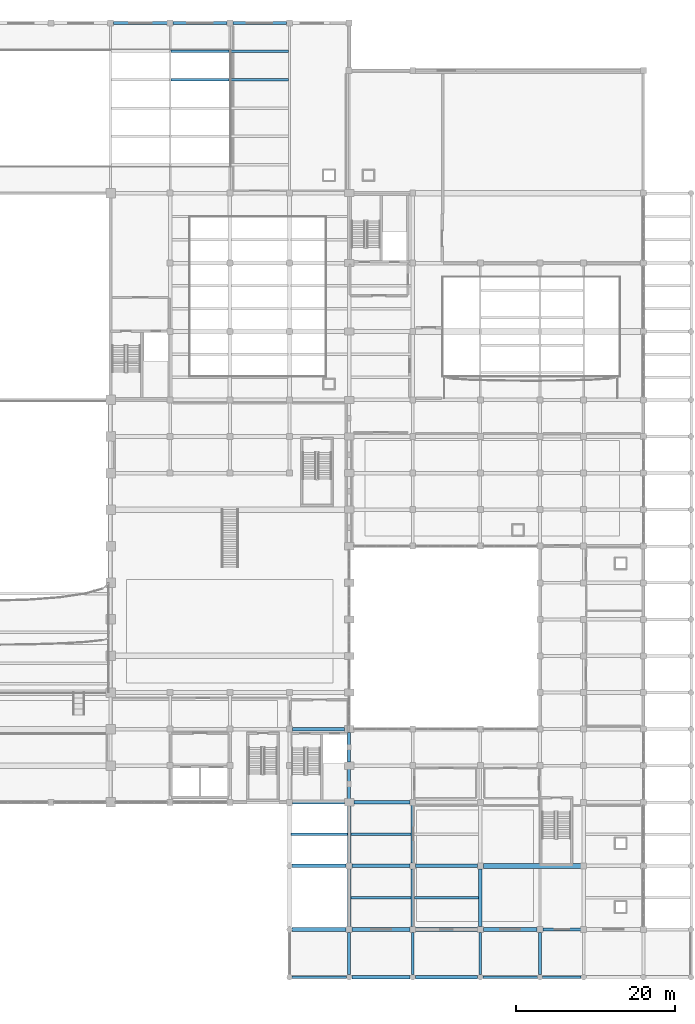
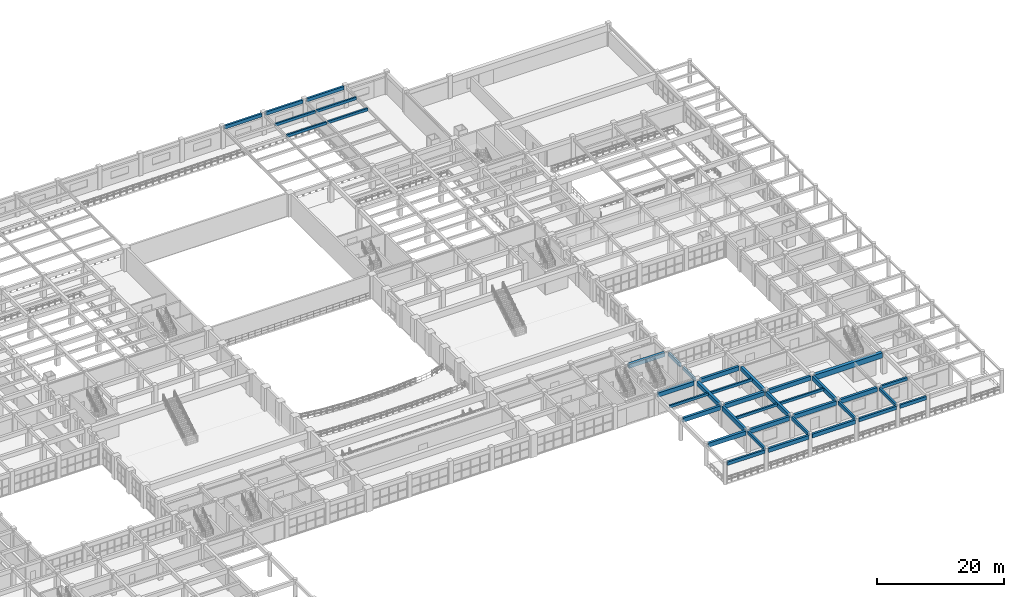
# One storey, part 49 of 116: 39 beams.
"""IFC4 building model written with IfcOpenShell, lengths in metres."""

from ifc_helpers import new_model, si_unit, direction, frame, origin, origin_2d, place, context, subcontext, project, spatial, rectangle, extrude, material, material_profile, profile_set, type_object, element, save


model = new_model("IFC4")

# Units and contexts
model_context = context("Model", 3, precision=1e-05, world=origin(), true_north=direction((0.0, 1.0)))
body_context = subcontext(model_context, "Body", "Model", "MODEL_VIEW")
ifc_project = project(units=[si_unit("LENGTHUNIT", "METRE"), si_unit("AREAUNIT", "SQUARE_METRE"), si_unit("VOLUMEUNIT", "CUBIC_METRE"), si_unit("PLANEANGLEUNIT", "RADIAN"), si_unit("MASSUNIT", "GRAM", prefix="KILO")], contexts=[model_context])

# Site, building, storey
site_placement = place(None, origin())
site = spatial("IfcSite", under=ifc_project, at=site_placement, CompositionType="ELEMENT")
building_placement = place(site_placement, origin())
building = spatial("IfcBuilding", under=site, at=building_placement, Name="Muzn Square Opera House", CompositionType="ELEMENT")
storey_placement = place(building_placement, frame((0.0, 0.0, 5.39990234375)))
storey = spatial("IfcBuildingStorey", under=building, at=storey_placement, Name="L01", CompositionType="ELEMENT", Elevation=5.39990234375)

# Beams
ifc_material = material(Name="Concrete C40/50", Category="concrete")
ifc_material_profile_1 = material_profile(ifc_material, rectangle(XDim=0.300048828125, YDim=0.5, at=origin_2d()), Name="RCJ 300x500", Category="concrete")
ifc_profile_set_1 = profile_set([ifc_material_profile_1], Name="Concrete C40/50")
beam_type_1 = type_object("IfcBeamType", Name="Floor Joist 300x500", PredefinedType="JOIST", material=ifc_profile_set_1)
for number, where, z_axis, x_axis, name in (
    (1, (110.60205078125, 112.86669921875, 3.8701171875), (1.0, 0.0, 0.0), (0.0, 1.0, 0.0), "Floor Joist BM-L01-BM-J500-1106_1129_1179_1129-1893"),
    (2, (110.60205078125, 116.433349609375, 3.8701171875), (1.0, 0.0, 0.0), (0.0, 1.0, 0.0), "Floor Joist BM-L01-BM-J500-1106_1164_1179_1164-1894"),
    (3, (118.10205078125, 112.86669921875, 3.8701171875), (1.0, 0.0, 0.0), (0.0, 1.0, 0.0), "Floor Joist BM-L01-BM-J500-1181_1129_1254_1129-1904"),
    (4, (118.10205078125, 116.433349609375, 3.8701171875), (1.0, 0.0, 0.0), (0.0, 1.0, 0.0), "Floor Joist BM-L01-BM-J500-1181_1164_1254_1164-1905"),
):
    element("IfcBeam", number, at=place(storey_placement, frame(where, z_axis=z_axis, x_axis=x_axis)), inside=storey, type_object=beam_type_1, Name=name, PredefinedType="JOIST", context=body_context, shape_type="SweptSolid", body=[
        extrude(rectangle(XDim=0.300048828125, YDim=0.5, at=origin_2d()), origin(), (0.0, 0.0, 1.0), 7.2958984375),
    ])
beam_1_placement = place(storey_placement, frame((125.717041015625, 18.0, 3.900146484375), z_axis=(1.0, 0.0, 0.0), x_axis=(0.0, 1.0, 0.0)))
element("IfcBeam", 5, at=beam_1_placement, inside=storey, type_object=beam_type_1, Name="Floor Joist BM-L01-BM-J500-1257_180_1328_180-1907", PredefinedType="JOIST", context=body_context, shape_type="SweptSolid", body=[
    extrude(rectangle(XDim=0.300048828125, YDim=0.5, at=origin_2d()), origin(), (0.0, 0.0, 1.0), 7.06591796875),
])
for number, where, z_axis, x_axis, name in (
    (6, (133.217041015625, 10.0, 3.900146484375), (1.0, 0.0, 0.0), (0.0, 1.0, 0.0), "Floor Joist BM-L01-BM-J500-1332_100_1408_100-1914"),
    (7, (133.217041015625, 18.0, 3.8701171875), (1.0, 0.0, 0.0), (0.0, 1.0, 0.0), "Floor Joist BM-L01-BM-J500-1332_180_1408_180-1915"),
):
    element("IfcBeam", number, at=place(storey_placement, frame(where, z_axis=z_axis, x_axis=x_axis)), inside=storey, type_object=beam_type_1, Name=name, PredefinedType="JOIST", context=body_context, shape_type="SweptSolid", body=[
        extrude(rectangle(XDim=0.300048828125, YDim=0.5, at=origin_2d()), origin(), (0.0, 0.0, 1.0), 7.56591796875),
    ])
beam_2_placement = place(storey_placement, frame((141.217041015625, 10.0, 3.900146484375), z_axis=(1.0, 0.0, 0.0), x_axis=(0.0, 1.0, 0.0)))
element("IfcBeam", 8, at=beam_2_placement, inside=storey, type_object=beam_type_1, Name="Floor Joist BM-L01-BM-J500-1412_100_1493_100-1920", PredefinedType="JOIST", context=body_context, shape_type="SweptSolid", body=[
    extrude(rectangle(XDim=0.300048828125, YDim=0.5, at=origin_2d()), origin(), (0.0, 0.0, 1.0), 8.06591796875),
])
ifc_material_profile_2 = material_profile(ifc_material, rectangle(XDim=0.35009765625, YDim=0.60009765625, at=origin_2d()), Name="RCB 350x600", Category="concrete")
ifc_profile_set_2 = profile_set([ifc_material_profile_2], Name="Concrete C40/50")
beam_type_2 = type_object("IfcBeamType", Name="Primary Girder 350x600", PredefinedType="BEAM", material=ifc_profile_set_2)
beam_3_placement = place(storey_placement, frame((157.366943359375, 6.0, 3.85009765625), z_axis=(1.0, 0.0, 0.0), x_axis=(0.0, 1.0, 0.0)))
element("IfcBeam", 9, at=beam_3_placement, inside=storey, type_object=beam_type_2, Name="Primary Girder BM-L01-BM-PG600-1574_60_1621_60-1260", PredefinedType="BEAM", context=body_context, shape_type="SweptSolid", body=[
    extrude(rectangle(XDim=0.35009765625, YDim=0.60009765625, at=origin_2d()), origin(), (0.0, 0.0, 1.0), 4.76611328125),
])
beam_4_placement = place(storey_placement, frame((133.0, 0.342041015625, 3.85009765625), z_axis=(0.0, 1.0, 0.0), x_axis=(-1.0, 0.0, 0.0)))
element("IfcBeam", 10, at=beam_4_placement, inside=storey, type_object=beam_type_2, Name="Primary Girder BM-L01-BM-PG600-1330_3_1330_56-1698", PredefinedType="BEAM", context=body_context, shape_type="SweptSolid", body=[
    extrude(rectangle(XDim=0.35009765625, YDim=0.60009765625, at=origin_2d()), origin(), (0.0, 0.0, 1.0), 5.291015625),
])
for number, where, z_axis, x_axis, name in (
    (11, (133.0, 22.44189453125, 3.820068359375), (0.0, 1.0, 0.0), (-1.0, 0.0, 0.0), "Primary Girder BM-L01-BM-PG600-1330_224_1330_262-1701"),
    (12, (133.0, 27.0419921875, 3.820068359375), (0.0, 1.0, 0.0), (-1.0, 0.0, 0.0), "Primary Girder BM-L01-BM-PG600-1330_270_1330_308-1702"),
):
    element("IfcBeam", number, at=place(storey_placement, frame(where, z_axis=z_axis, x_axis=x_axis)), inside=storey, type_object=beam_type_2, Name=name, PredefinedType="BEAM", context=body_context, shape_type="SweptSolid", body=[
        extrude(rectangle(XDim=0.35009765625, YDim=0.60009765625, at=origin_2d()), origin(), (0.0, 0.0, 1.0), 3.716064453125),
    ])
for number, where, z_axis, x_axis, name in (
    (13, (141.0, 0.342041015625, 3.85009765625), (0.0, 1.0, 0.0), (-1.0, 0.0, 0.0), "Primary Girder BM-L01-BM-PG600-1410_3_1410_56-1715"),
    (14, (149.5, 0.342041015625, 3.85009765625), (0.0, 1.0, 0.0), (-1.0, 0.0, 0.0), "Primary Girder BM-L01-BM-PG600-1495_3_1495_56-1727"),
    (15, (157.0, 0.342041015625, 3.85009765625), (0.0, 1.0, 0.0), (-1.0, 0.0, 0.0), "Primary Girder BM-L01-BM-PG600-1570_3_1570_56-1737"),
):
    element("IfcBeam", number, at=place(storey_placement, frame(where, z_axis=z_axis, x_axis=x_axis)), inside=storey, type_object=beam_type_2, Name=name, PredefinedType="BEAM", context=body_context, shape_type="SweptSolid", body=[
        extrude(rectangle(XDim=0.35009765625, YDim=0.60009765625, at=origin_2d()), origin(), (0.0, 0.0, 1.0), 5.291015625),
    ])
ifc_material_profile_3 = material_profile(ifc_material, rectangle(XDim=0.449951171875, YDim=0.800048828125, at=origin_2d()), Name="RCB 450x800", Category="concrete")
ifc_profile_set_3 = profile_set([ifc_material_profile_3], Name="Concrete C40/50")
beam_type_3 = type_object("IfcBeamType", Name="Primary Girder 450x800", PredefinedType="BEAM", material=ifc_profile_set_3)
beam_5_placement = place(storey_placement, frame((125.842041015625, 6.0, 3.75), z_axis=(1.0, 0.0, 0.0), x_axis=(0.0, 1.0, 0.0)))
element("IfcBeam", 16, at=beam_5_placement, inside=storey, type_object=beam_type_3, Name="Primary Girder BM-L01-BM-PG800-1258_60_1326_60-1256", PredefinedType="BEAM", context=body_context, shape_type="SweptSolid", body=[
    extrude(rectangle(XDim=0.449951171875, YDim=0.800048828125, at=origin_2d()), origin(), (0.0, 0.0, 1.0), 6.791015625),
])
beam_6_placement = place(storey_placement, frame((133.366943359375, 6.0, 3.75), z_axis=(1.0, 0.0, 0.0), x_axis=(0.0, 1.0, 0.0)))
element("IfcBeam", 17, at=beam_6_placement, inside=storey, type_object=beam_type_3, Name="Primary Girder BM-L01-BM-PG800-1334_60_1406_60-1257", PredefinedType="BEAM", context=body_context, shape_type="SweptSolid", body=[
    extrude(rectangle(XDim=0.449951171875, YDim=0.800048828125, at=origin_2d()), origin(), (0.0, 0.0, 1.0), 7.26611328125),
])
beam_7_placement = place(storey_placement, frame((141.366943359375, 6.0, 3.75), z_axis=(1.0, 0.0, 0.0), x_axis=(0.0, 1.0, 0.0)))
element("IfcBeam", 18, at=beam_7_placement, inside=storey, type_object=beam_type_3, Name="Primary Girder BM-L01-BM-PG800-1414_60_1491_60-1258", PredefinedType="BEAM", context=body_context, shape_type="SweptSolid", body=[
    extrude(rectangle(XDim=0.449951171875, YDim=0.800048828125, at=origin_2d()), origin(), (0.0, 0.0, 1.0), 7.76611328125),
])
beam_8_placement = place(storey_placement, frame((149.866943359375, 6.0, 3.75), z_axis=(1.0, 0.0, 0.0), x_axis=(0.0, 1.0, 0.0)))
element("IfcBeam", 19, at=beam_8_placement, inside=storey, type_object=beam_type_3, Name="Primary Girder BM-L01-BM-PG800-1499_60_1566_60-1259", PredefinedType="BEAM", context=body_context, shape_type="SweptSolid", body=[
    extrude(rectangle(XDim=0.449951171875, YDim=0.800048828125, at=origin_2d()), origin(), (0.0, 0.0, 1.0), 6.76611328125),
])
beam_9_placement = place(storey_placement, frame((125.842041015625, 14.0, 3.75), z_axis=(1.0, 0.0, 0.0), x_axis=(0.0, 1.0, 0.0)))
element("IfcBeam", 20, at=beam_9_placement, inside=storey, type_object=beam_type_3, Name="Primary Girder BM-L01-BM-PG800-1258_140_1326_140-1269", PredefinedType="BEAM", context=body_context, shape_type="SweptSolid", body=[
    extrude(rectangle(XDim=0.449951171875, YDim=0.800048828125, at=origin_2d()), origin(), (0.0, 0.0, 1.0), 6.791015625),
])
beam_10_placement = place(storey_placement, frame((133.366943359375, 14.0, 3.72021484375), z_axis=(1.0, 0.0, 0.0), x_axis=(0.0, 1.0, 0.0)))
element("IfcBeam", 21, at=beam_10_placement, inside=storey, type_object=beam_type_3, Name="Primary Girder BM-L01-BM-PG800-1334_140_1406_140-1270", PredefinedType="BEAM", context=body_context, shape_type="SweptSolid", body=[
    extrude(rectangle(XDim=0.449951171875, YDim=0.800048828125, at=origin_2d()), origin(), (0.0, 0.0, 1.0), 7.26611328125),
])
beam_11_placement = place(storey_placement, frame((141.366943359375, 14.0, 3.72021484375), z_axis=(1.0, 0.0, 0.0), x_axis=(0.0, 1.0, 0.0)))
element("IfcBeam", 22, at=beam_11_placement, inside=storey, type_object=beam_type_3, Name="Primary Girder BM-L01-BM-PG800-1414_140_1491_140-1271", PredefinedType="BEAM", context=body_context, shape_type="SweptSolid", body=[
    extrude(rectangle(XDim=0.449951171875, YDim=0.800048828125, at=origin_2d()), origin(), (0.0, 0.0, 1.0), 7.76611328125),
])
beam_12_placement = place(storey_placement, frame((125.866943359375, 22.0, 3.72021484375), z_axis=(1.0, 0.0, 0.0), x_axis=(0.0, 1.0, 0.0)))
element("IfcBeam", 23, at=beam_12_placement, inside=storey, type_object=beam_type_3, Name="Primary Girder BM-L01-BM-PG800-1259_220_1324_220-1290", PredefinedType="BEAM", context=body_context, shape_type="SweptSolid", body=[
    extrude(rectangle(XDim=0.449951171875, YDim=0.800048828125, at=origin_2d()), origin(), (0.0, 0.0, 1.0), 6.541015625),
])
beam_13_placement = place(storey_placement, frame((133.592041015625, 22.0, 3.72021484375), z_axis=(1.0, 0.0, 0.0), x_axis=(0.0, 1.0, 0.0)))
element("IfcBeam", 24, at=beam_13_placement, inside=storey, type_object=beam_type_3, Name="Primary Girder BM-L01-BM-PG800-1336_220_1406_220-1291", PredefinedType="BEAM", context=body_context, shape_type="SweptSolid", body=[
    extrude(rectangle(XDim=0.449951171875, YDim=0.800048828125, at=origin_2d()), origin(), (0.0, 0.0, 1.0), 7.041015625),
])
beam_14_placement = place(storey_placement, frame((125.866943359375, 31.199951171875, 3.72021484375), z_axis=(1.0, 0.0, 0.0), x_axis=(0.0, 1.0, 0.0)))
element("IfcBeam", 25, at=beam_14_placement, inside=storey, type_object=beam_type_3, Name="Primary Girder BM-L01-BM-PG800-1259_312_1324_312-1326", PredefinedType="BEAM", context=body_context, shape_type="SweptSolid", body=[
    extrude(rectangle(XDim=0.449951171875, YDim=0.800048828125, at=origin_2d()), origin(), (0.0, 0.0, 1.0), 6.541015625),
])
beam_15_placement = place(storey_placement, frame((133.0, 6.366943359375, 3.72021484375), z_axis=(0.0, 1.0, 0.0), x_axis=(-1.0, 0.0, 0.0)))
element("IfcBeam", 26, at=beam_15_placement, inside=storey, type_object=beam_type_3, Name="Primary Girder BM-L01-BM-PG800-1330_64_1330_136-1699", PredefinedType="BEAM", context=body_context, shape_type="SweptSolid", body=[
    extrude(rectangle(XDim=0.449951171875, YDim=0.800048828125, at=origin_2d()), origin(), (0.0, 0.0, 1.0), 7.26611328125),
])
beam_16_placement = place(storey_placement, frame((133.0, 14.366943359375, 3.72021484375), z_axis=(0.0, 1.0, 0.0), x_axis=(-1.0, 0.0, 0.0)))
element("IfcBeam", 27, at=beam_16_placement, inside=storey, type_object=beam_type_3, Name="Primary Girder BM-L01-BM-PG800-1330_144_1330_216-1700", PredefinedType="BEAM", context=body_context, shape_type="SweptSolid", body=[
    extrude(rectangle(XDim=0.449951171875, YDim=0.800048828125, at=origin_2d()), origin(), (0.0, 0.0, 1.0), 7.191162109375),
])
for number, where, z_axis, x_axis, name in (
    (28, (141.0, 6.366943359375, 3.75), (0.0, 1.0, 0.0), (-1.0, 0.0, 0.0), "Primary Girder BM-L01-BM-PG800-1410_64_1410_136-1716"),
    (29, (141.0, 14.366943359375, 3.72021484375), (0.0, 1.0, 0.0), (-1.0, 0.0, 0.0), "Primary Girder BM-L01-BM-PG800-1410_144_1410_216-1717"),
    (30, (149.5, 6.366943359375, 3.75), (0.0, 1.0, 0.0), (-1.0, 0.0, 0.0), "Primary Girder BM-L01-BM-PG800-1495_64_1495_136-1728"),
):
    element("IfcBeam", number, at=place(storey_placement, frame(where, z_axis=z_axis, x_axis=x_axis)), inside=storey, type_object=beam_type_3, Name=name, PredefinedType="BEAM", context=body_context, shape_type="SweptSolid", body=[
        extrude(rectangle(XDim=0.449951171875, YDim=0.800048828125, at=origin_2d()), origin(), (0.0, 0.0, 1.0), 7.26611328125),
    ])
ifc_material_profile_4 = material_profile(ifc_material, rectangle(XDim=0.60009765625, YDim=1.0, at=origin_2d()), Name="RCB 600x1000", Category="concrete")
ifc_profile_set_4 = profile_set([ifc_material_profile_4], Name="Concrete C40/50")
beam_type_4 = type_object("IfcBeamType", Name="Primary Girder 600x1000", PredefinedType="BEAM", material=ifc_profile_set_4)
beam_17_placement = place(storey_placement, frame((149.866943359375, 14.0, 3.6201171875), z_axis=(1.0, 0.0, 0.0), x_axis=(0.0, 1.0, 0.0)))
element("IfcBeam", 31, at=beam_17_placement, inside=storey, type_object=beam_type_4, Name="Primary Girder BM-L01-BM-PG1000-1499_140_1621_140-1272", PredefinedType="BEAM", context=body_context, shape_type="SweptSolid", body=[
    extrude(rectangle(XDim=0.60009765625, YDim=1.0, at=origin_2d()), origin(), (0.0, 0.0, 1.0), 12.26611328125),
])
ifc_material_profile_5 = material_profile(ifc_material, rectangle(XDim=0.35009765625, YDim=0.64990234375, at=origin_2d()), Name="RCS 350x650", Category="concrete")
ifc_profile_set_5 = profile_set([ifc_material_profile_5], Name="Concrete C40/50")
beam_type_5 = type_object("IfcBeamType", Name="Spandrel Beam 350x650", PredefinedType="SPANDREL", material=ifc_profile_set_5)
for number, where, z_axis, x_axis, name in (
    (32, (125.842041015625, 0.0, 3.795166015625), (1.0, 0.0, 0.0), (0.0, 1.0, 0.0), "Spandrel Beam BM-L01-BM-SP650-1258_0_1327_0-1242"),
    (33, (149.842041015625, 0.0, 3.795166015625), (1.0, 0.0, 0.0), (0.0, 1.0, 0.0), "Spandrel Beam BM-L01-BM-SP650-1498_0_1567_0-1245"),
):
    element("IfcBeam", number, at=place(storey_placement, frame(where, z_axis=z_axis, x_axis=x_axis)), inside=storey, type_object=beam_type_5, Name=name, PredefinedType="SPANDREL", context=body_context, shape_type="SweptSolid", body=[
        extrude(rectangle(XDim=0.35009765625, YDim=0.64990234375, at=origin_2d()), origin(), (0.0, 0.0, 1.0), 6.81591796875),
    ])
beam_18_placement = place(storey_placement, frame((157.342041015625, 0.0, 3.795166015625), z_axis=(1.0, 0.0, 0.0), x_axis=(0.0, 1.0, 0.0)))
element("IfcBeam", 34, at=beam_18_placement, inside=storey, type_object=beam_type_5, Name="Spandrel Beam BM-L01-BM-SP650-1573_0_1622_0-1246", PredefinedType="SPANDREL", context=body_context, shape_type="SweptSolid", body=[
    extrude(rectangle(XDim=0.35009765625, YDim=0.64990234375, at=origin_2d()), origin(), (0.0, 0.0, 1.0), 4.81591796875),
])
for number, where, z_axis, x_axis, name in (
    (35, (103.366943359375, 120.0, 3.795166015625), (1.0, 0.0, 0.0), (0.0, 1.0, 0.0), "Spandrel Beam BM-L01-BM-SP650-1034_1200_1101_1200-1504"),
    (36, (110.866943359375, 120.0, 3.795166015625), (1.0, 0.0, 0.0), (0.0, 1.0, 0.0), "Spandrel Beam BM-L01-BM-SP650-1109_1200_1176_1200-1505"),
    (37, (118.366943359375, 120.0, 3.795166015625), (1.0, 0.0, 0.0), (0.0, 1.0, 0.0), "Spandrel Beam BM-L01-BM-SP650-1184_1200_1251_1200-1506"),
):
    element("IfcBeam", number, at=place(storey_placement, frame(where, z_axis=z_axis, x_axis=x_axis)), inside=storey, type_object=beam_type_5, Name=name, PredefinedType="SPANDREL", context=body_context, shape_type="SweptSolid", body=[
        extrude(rectangle(XDim=0.35009765625, YDim=0.64990234375, at=origin_2d()), origin(), (0.0, 0.0, 1.0), 6.76611328125),
    ])
ifc_material_profile_6 = material_profile(ifc_material, rectangle(XDim=0.39990234375, YDim=0.75, at=origin_2d()), Name="RCS 400x750", Category="concrete")
ifc_profile_set_6 = profile_set([ifc_material_profile_6], Name="Concrete C40/50")
beam_type_6 = type_object("IfcBeamType", Name="Spandrel Beam 400x750", PredefinedType="SPANDREL", material=ifc_profile_set_6)
beam_19_placement = place(storey_placement, frame((133.342041015625, 0.0, 3.7451171875), z_axis=(1.0, 0.0, 0.0), x_axis=(0.0, 1.0, 0.0)))
element("IfcBeam", 38, at=beam_19_placement, inside=storey, type_object=beam_type_6, Name="Spandrel Beam BM-L01-BM-SP750-1333_0_1407_0-1243", PredefinedType="SPANDREL", context=body_context, shape_type="SweptSolid", body=[
    extrude(rectangle(XDim=0.39990234375, YDim=0.75, at=origin_2d()), origin(), (0.0, 0.0, 1.0), 7.31591796875),
])
beam_20_placement = place(storey_placement, frame((141.342041015625, 0.0, 3.7451171875), z_axis=(1.0, 0.0, 0.0), x_axis=(0.0, 1.0, 0.0)))
element("IfcBeam", 39, at=beam_20_placement, inside=storey, type_object=beam_type_6, Name="Spandrel Beam BM-L01-BM-SP750-1413_0_1492_0-1244", PredefinedType="SPANDREL", context=body_context, shape_type="SweptSolid", body=[
    extrude(rectangle(XDim=0.39990234375, YDim=0.75, at=origin_2d()), origin(), (0.0, 0.0, 1.0), 7.81591796875),
])

save(model, "model.ifc")
